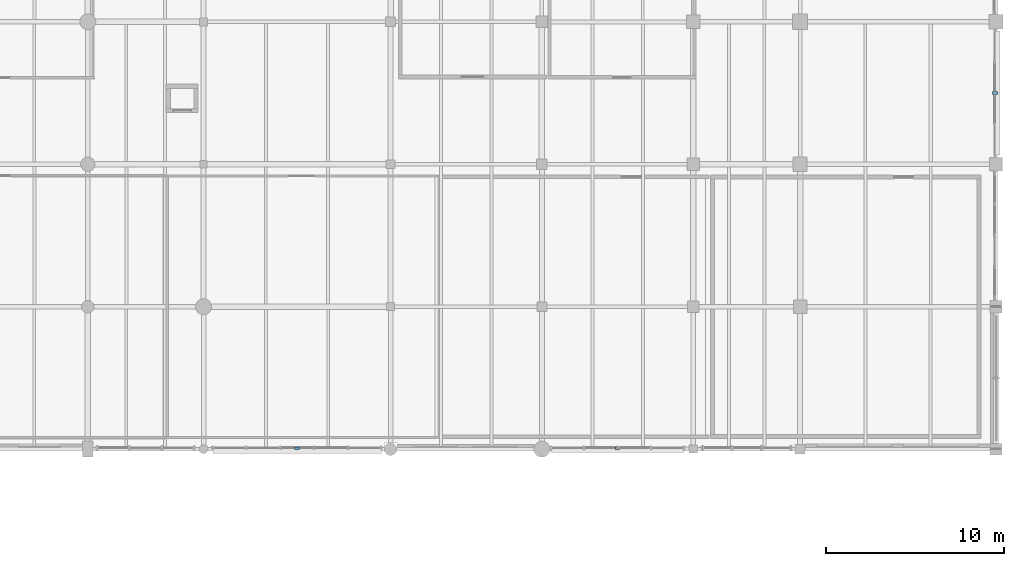
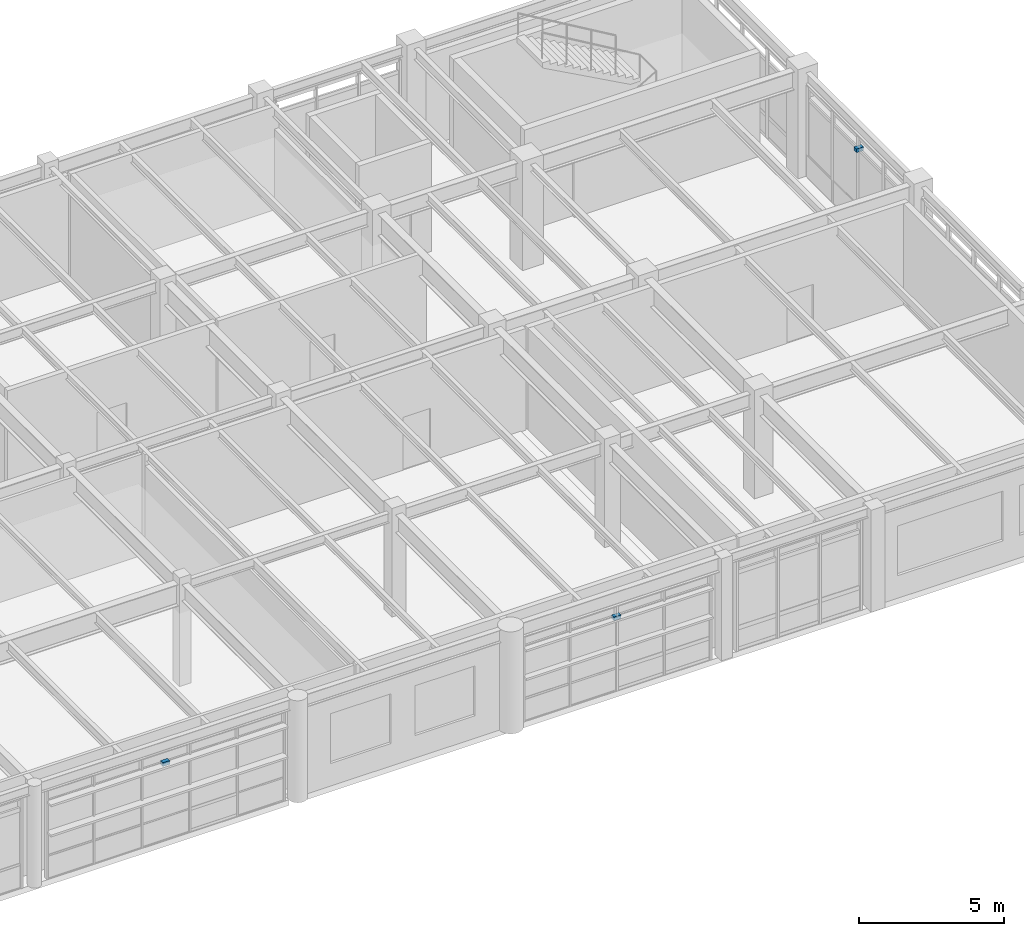
# One storey, part 162 of 168: 3 discrete accessories.
"""IFC4 building model written with IfcOpenShell, lengths in metres."""

import ifcopenshell
import ifcopenshell.guid

model = None  # the IFC model being written
_history = None  # IfcOwnerHistory: only IFC2X3 demands one
_inside = {}  # id of a spatial element -> (the spatial element, [elements in it])
_under = {}  # id of a project, library or spatial element -> (it, [spatial elements below it])
_declared = {}  # id of a project -> (the project, [libraries it declares])
_typed = {}  # id of a type object -> (the type object, [elements of that type])
_made_of = {}  # id of a material, layer set ... -> (it, [elements and type objects made of it])


def new_model(schema):
    """Start an empty IFC model of exactly this schema.

    Asked for "IFC4X3", IfcOpenShell would pick the latest addendum, in which some entities
    have other attributes; the version numbers below select the first issue.
    IFC2X3 requires an IfcOwnerHistory on every rooted entity: one is made here for all.
    """
    global model, _history
    if schema == "IFC4X3":
        model = ifcopenshell.file(schema_version=(4, 3, 0, 0))
    else:
        model = ifcopenshell.file(schema=schema)
    _inside.clear()
    _under.clear()
    _declared.clear()
    _typed.clear()
    _made_of.clear()
    _history = None
    if model.schema == "IFC2X3":
        org = make("IfcOrganization", Name="unknown")
        user = make(
            "IfcPersonAndOrganization",
            ThePerson=make("IfcPerson", FamilyName="unknown"),
            TheOrganization=org,
        )
        app = make(
            "IfcApplication",
            ApplicationDeveloper=org,
            Version="unknown",
            ApplicationFullName="unknown",
            ApplicationIdentifier="unknown",
        )
        _history = make(
            "IfcOwnerHistory",
            OwningUser=user,
            OwningApplication=app,
            ChangeAction="ADDED",
            CreationDate=0,
        )
    return model


def make(cls, **values):
    """One entity of the class cls with the attributes given. An attribute that is None is left unset."""
    return model.create_entity(
        cls, **{name: value for name, value in values.items() if value is not None}
    )


def rooted(cls, **values):
    """An entity with a GlobalId (a new one), such as an element, a storey or a relation."""
    return make(cls, GlobalId=ifcopenshell.guid.new(), OwnerHistory=_history, **values)


def si_unit(unit_type, name, prefix=None):
    """IfcSIUnit, for example si_unit("LENGTHUNIT", "METRE", prefix="MILLI")."""
    return make("IfcSIUnit", UnitType=unit_type, Prefix=prefix, Name=name)


def assignment(units):
    """IfcUnitAssignment: the units of a project."""
    return None if units is None else make("IfcUnitAssignment", Units=units)


def point(xyz):
    """IfcCartesianPoint."""
    return None if xyz is None else make("IfcCartesianPoint", Coordinates=xyz)


def direction(xyz):
    """IfcDirection."""
    return None if xyz is None else make("IfcDirection", DirectionRatios=xyz)


def frame(location, z_axis=None, x_axis=None):
    """IfcAxis2Placement3D, a coordinate frame: its origin and axes. An axis left out is left unset."""
    return make(
        "IfcAxis2Placement3D",
        Location=point(location),
        Axis=direction(z_axis),
        RefDirection=direction(x_axis),
    )


def frame_2d(location, x_axis=None):
    """IfcAxis2Placement2D, a coordinate frame in the plane: its origin and x axis."""
    return make(
        "IfcAxis2Placement2D", Location=point(location), RefDirection=direction(x_axis)
    )


def origin():
    """The frame at (0, 0, 0) with its axes left unset."""
    return frame((0.0, 0.0, 0.0))


def origin_2d():
    """The frame at (0, 0) in the plane with its x axis left unset."""
    return frame_2d((0.0, 0.0))


def place(relative_to, where):
    """IfcLocalPlacement: puts the frame where relative to a parent placement (None: the world)."""
    return make(
        "IfcLocalPlacement", PlacementRelTo=relative_to, RelativePlacement=where
    )


def context(
    kind, dimensions, precision=None, world=None, true_north=None, identifier=None
):
    """IfcGeometricRepresentationContext, for example the 3D "Model" context."""
    return make(
        "IfcGeometricRepresentationContext",
        ContextIdentifier=identifier,
        ContextType=kind,
        CoordinateSpaceDimension=dimensions,
        Precision=precision,
        WorldCoordinateSystem=world,
        TrueNorth=true_north,
    )


def subcontext(parent, identifier, kind, view, scale=None):
    """IfcGeometricRepresentationSubContext, for example "Body" below "Model"."""
    return make(
        "IfcGeometricRepresentationSubContext",
        ContextIdentifier=identifier,
        ContextType=kind,
        ParentContext=parent,
        TargetScale=scale,
        TargetView=view,
    )


def project(units=None, contexts=None):
    """IfcProject with its units and contexts."""
    return rooted(
        "IfcProject",
        Name="project",
        RepresentationContexts=contexts,
        UnitsInContext=assignment(units),
    )


def spatial(cls, under=None, at=None, **own):
    """A site, building, storey or space (cls), placed at a placement, below another one or the project."""
    s = rooted(cls, ObjectPlacement=at, **own)
    if under is not None:
        _under.setdefault(under.id(), (under, []))[1].append(s)
    return s


def profile(cls, at=None, kind="AREA", **sizes):
    """A parametric profile (cls). Its sizes go by their IFC names, for example OverallWidth=200.0."""
    return make(cls, ProfileType=kind, Position=at, **sizes)


def rectangle(**sizes):
    """IfcRectangleProfileDef."""
    return profile("IfcRectangleProfileDef", **sizes)


def extrude(swept, where, along, depth):
    """IfcExtrudedAreaSolid: the profile swept, set in the frame where, extruded along a direction by depth."""
    return make(
        "IfcExtrudedAreaSolid",
        SweptArea=swept,
        Position=where,
        ExtrudedDirection=direction(along),
        Depth=depth,
    )


def shape(context_of_items, identifier, shape_type, items):
    """IfcShapeRepresentation: the items that make up one representation, for example the "Body"."""
    return make(
        "IfcShapeRepresentation",
        ContextOfItems=context_of_items,
        RepresentationIdentifier=identifier,
        RepresentationType=shape_type,
        Items=items,
    )


def material(Name=None, Category=None):
    """IfcMaterial."""
    return make("IfcMaterial", Name=Name, Category=Category)


def made_of(thing, what):
    """Note that an element or type object is made of a material, layer set ...; save() writes the relation."""
    if what is not None:
        _made_of.setdefault(what.id(), (what, []))[1].append(thing)
    return thing


def type_object(cls, material=None, **own):
    """A type object (cls), such as IfcWallType, which elements share."""
    return made_of(rooted(cls, **own), material)


def element(
    cls,
    number,
    at=None,
    inside=None,
    cuts=None,
    type_object=None,
    material=None,
    context=None,
    identifier="Body",
    shape_type=None,
    held_by="IfcProductDefinitionShape",
    body=None,
    shapes=None,
    **own,
):
    """One element of the class cls, such as IfcWall. Its Tag is "e" and its number.

    at: its placement. inside: the storey or other place that contains it. cuts: it is an
    opening in that element (IfcRelVoidsElement). A single representation is given by context,
    identifier, shape_type and body (its items); several are given by shapes. held_by: the class
    of the entity that holds the representations. save() writes the other relations.
    """
    e = rooted(cls, Tag="e%d" % number, ObjectPlacement=at, **own)
    if body is not None:
        shapes = [shape(context, identifier, shape_type, body)]
    if shapes is not None:
        e.Representation = make(held_by, Representations=shapes)
    if inside is not None:
        _inside.setdefault(inside.id(), (inside, []))[1].append(e)
    if cuts is not None:
        rooted(
            "IfcRelVoidsElement", RelatingBuildingElement=cuts, RelatedOpeningElement=e
        )
    if type_object is not None:
        _typed.setdefault(type_object.id(), (type_object, []))[1].append(e)
    return made_of(e, material)


def aggregate(whole, parts):
    """IfcRelAggregates: a whole, such as a stair, and the parts it consists of."""
    return rooted("IfcRelAggregates", RelatingObject=whole, RelatedObjects=parts)


def save(model, path):
    """Write the relations noted so far, then the file.

    IfcRelAggregates (storeys below a building ...), IfcRelContainedInSpatialStructure (elements
    in a storey), IfcRelDefinesByType, IfcRelAssociatesMaterial and IfcRelDeclares: one each for
    every whole, place, type object, material and project.
    """
    for whole, parts in _under.values():
        aggregate(whole, parts)
    for where, things in _inside.values():
        rooted(
            "IfcRelContainedInSpatialStructure",
            RelatedElements=things,
            RelatingStructure=where,
        )
    for kind, things in _typed.values():
        rooted("IfcRelDefinesByType", RelatedObjects=things, RelatingType=kind)
    for what, things in _made_of.values():
        rooted("IfcRelAssociatesMaterial", RelatedObjects=things, RelatingMaterial=what)
    for by, libraries in _declared.values():
        rooted("IfcRelDeclares", RelatingContext=by, RelatedDefinitions=libraries)
    model.write(path)


model = new_model("IFC4")

# Units and contexts
model_context = context("Model", 3, precision=1e-05, world=origin(), true_north=direction((0.0, 1.0)))
body_context = subcontext(model_context, "Body", "Model", "MODEL_VIEW")
ifc_project = project(units=[si_unit("LENGTHUNIT", "METRE"), si_unit("AREAUNIT", "SQUARE_METRE"), si_unit("VOLUMEUNIT", "CUBIC_METRE"), si_unit("PLANEANGLEUNIT", "RADIAN"), si_unit("MASSUNIT", "GRAM", prefix="KILO"), si_unit("THERMODYNAMICTEMPERATUREUNIT", "KELVIN"), si_unit("POWERUNIT", "WATT")], contexts=[model_context])

# Site, building, storey
site_placement = place(None, origin())
site = spatial("IfcSite", under=ifc_project, at=site_placement, CompositionType="ELEMENT")
building_placement = place(site_placement, origin())
building = spatial("IfcBuilding", under=site, at=building_placement, Name="Tepalcoro Natatorium and Aquatics Centre", CompositionType="ELEMENT")
storey_placement = place(building_placement, frame((0.0, 0.0, 10.199951171875)))
storey = spatial("IfcBuildingStorey", under=building, at=storey_placement, Name="L02", CompositionType="ELEMENT", Elevation=10.199951171875)

# Discrete accessories
ifc_material_1 = material(Name="Plate Steel ASTM A572 Grade 50 (Fy 345 MPa)", Category="steel")
discrete_accessory_type_1 = type_object("IfcDiscreteAccessoryType", Name="BRK_FACADE_GALV", PredefinedType="BRACKET", material=ifc_material_1)
for number, where, z_axis, x_axis, name in (
    (1, (136.75, 86.05615234375, 3.18017578125), (0.0, 0.0, 1.0), (1.0, 0.0, 0.0), "Solar Shading Outrigger Bracket BRK_FACADE_GALV"),
    (2, (175.938720703125, 106.0, 3.26025390625), (0.0, 0.0, 1.0), (1.0, 0.0, 0.0), "Solar Shading Outrigger Bracket BRK_FACADE_GALV"),
):
    element("IfcDiscreteAccessory", number, at=place(storey_placement, frame(where, z_axis=z_axis, x_axis=x_axis)), inside=storey, type_object=discrete_accessory_type_1, Name=name, PredefinedType="BRACKET", context=body_context, shape_type="SweptSolid", body=[
        extrude(rectangle(XDim=0.280029296875, YDim=0.159912109375, at=origin_2d()), origin(), (0.0, 0.0, 1.0), 0.159912109375),
    ])
ifc_material_2 = material(Name="Marine-Grade Brushed Stainless Steel AISI 316L", Category="steel")
discrete_accessory_type_2 = type_object("IfcDiscreteAccessoryType", Name="BRK_SEISMIC_SS", PredefinedType="BRACKET", material=ifc_material_2)
discrete_accessory_placement = place(storey_placement, frame((154.75, 86.05615234375, 3.0283203125), z_axis=(0.0, 0.0, 1.0), x_axis=(1.0, 0.0, 0.0)))
element("IfcDiscreteAccessory", 3, at=discrete_accessory_placement, inside=storey, type_object=discrete_accessory_type_2, Name="Solar Shading Outrigger Bracket BRK_SEISMIC_SS", PredefinedType="BRACKET", context=body_context, shape_type="SweptSolid", body=[
    extrude(rectangle(XDim=0.280029296875, YDim=0.159912109375, at=origin_2d()), origin(), (0.0, 0.0, 1.0), 0.159912109375),
])

save(model, "model.ifc")
